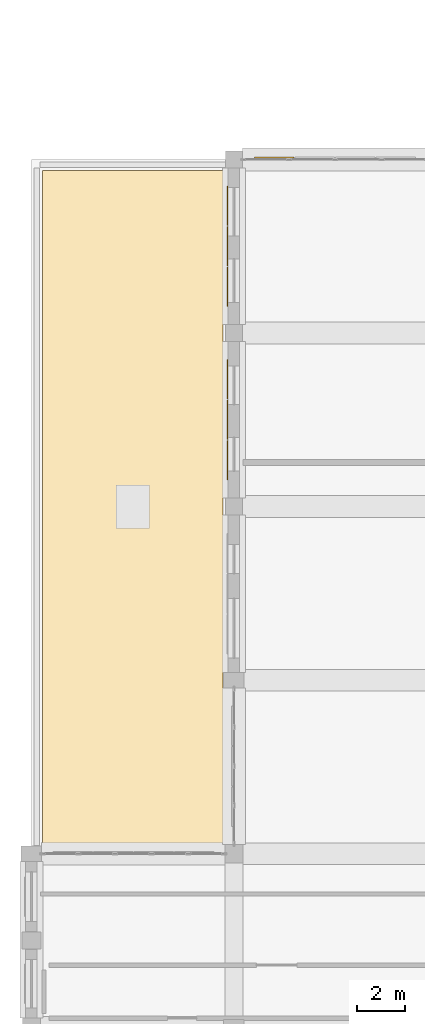
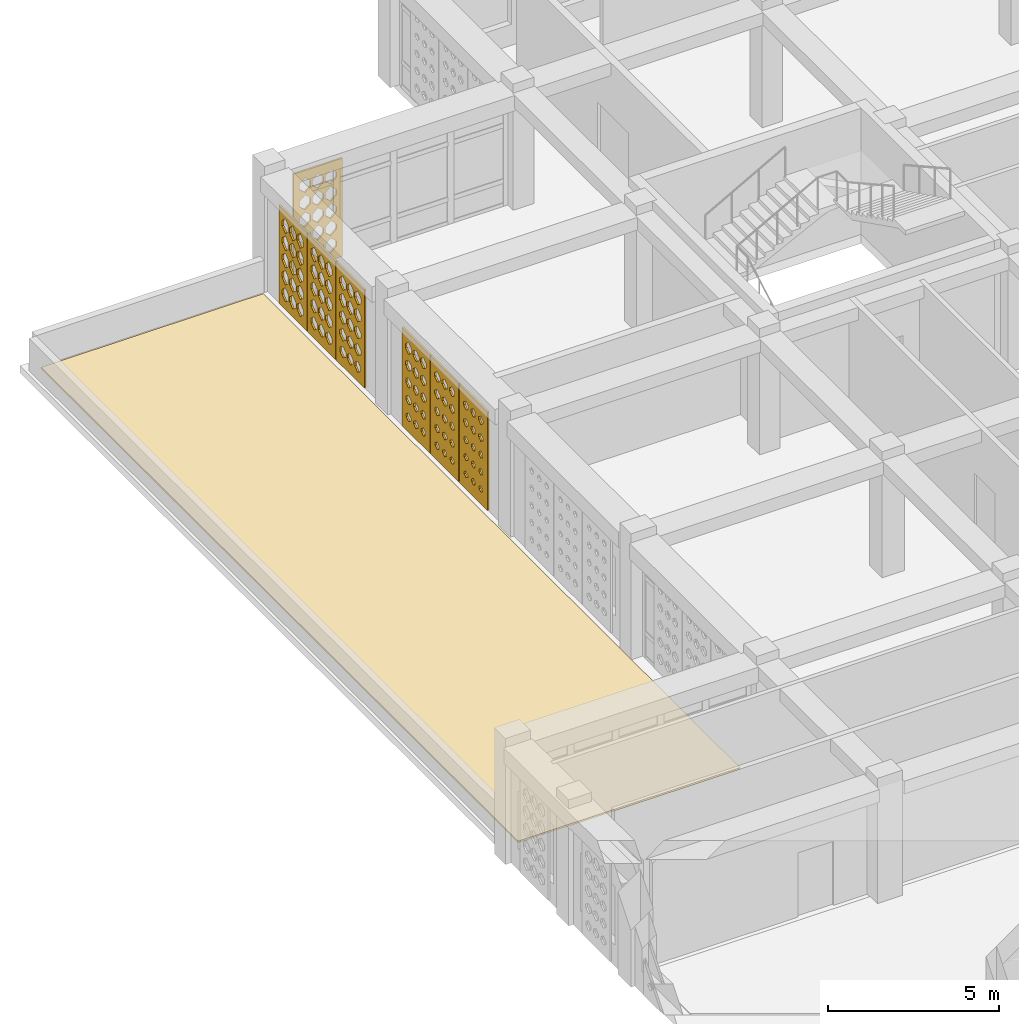
# One storey, part 86 of 100: 8 coverings.
"""IFC4 building model written with IfcOpenShell, lengths in metres."""

from ifc_helpers import new_model, si_unit, derived_unit, direction, frame, origin, place, context, subcontext, project, spatial, polyline, outline, extrude, material, layer, layer_set, type_object, element, save


model = new_model("IFC4")

# Units and contexts
model_context = context("Model", 3, precision=1e-05, world=origin(), true_north=direction((0.0, 1.0)))
body_context = subcontext(model_context, "Body", "Model", "MODEL_VIEW")
ifc_project = project(units=[si_unit("LENGTHUNIT", "METRE"), si_unit("AREAUNIT", "SQUARE_METRE"), si_unit("VOLUMEUNIT", "CUBIC_METRE"), si_unit("PLANEANGLEUNIT", "RADIAN"), si_unit("MASSUNIT", "GRAM", prefix="KILO"), derived_unit("THERMALTRANSMITTANCEUNIT", [(si_unit("POWERUNIT", "WATT"), 1), (si_unit("LENGTHUNIT", "METRE"), -2), (si_unit("THERMODYNAMICTEMPERATUREUNIT", "KELVIN"), -1)])], contexts=[model_context])

# Site, building, storey
site_placement = place(None, origin())
site = spatial("IfcSite", under=ifc_project, at=site_placement, CompositionType="ELEMENT")
building_placement = place(site_placement, origin())
building = spatial("IfcBuilding", under=site, at=building_placement, Name="Veybourne Emporium", CompositionType="ELEMENT")
storey_placement = place(building_placement, frame((0.0, 0.0, 14.39990234375)))
storey = spatial("IfcBuildingStorey", under=building, at=storey_placement, Name="L03", CompositionType="ELEMENT", Elevation=14.39990234375)

# Coverings
ifc_material_1 = material(Name="Single-Ply Warm Roof Membrane", Category="membrane")
ifc_layer_1 = layer(ifc_material_1, 0.06005859375)
ifc_layer_set_1 = layer_set([ifc_layer_1], Name="Single-Ply Warm Roof Membrane")
covering_type_1 = type_object("IfcCoveringType", Name="Roofing_RFG-01", PredefinedType="ROOFING", material=ifc_layer_set_1)
covering_1_placement = place(storey_placement, origin())
element("IfcCovering", 1, at=covering_1_placement, inside=storey, type_object=covering_type_1, Name="L03 warm-roof waterproofing membrane 2.1", PredefinedType="ROOFING", context=body_context, shape_type="SweptSolid", body=[
    extrude(outline(polyline([(0.449951171875, 78.75), (7.949951171875, 78.75), (7.949951171875, 50.85009765625), (0.449951171875, 50.85009765625), (0.449951171875, 78.75)])), origin(), (0.0, 0.0, 1.0), 0.06005859375),
])
ifc_material_2 = material(Name="Warm-White Perforated Aluminium Screen Alloy", Category="aluminium")
ifc_layer_2 = layer(ifc_material_2, 0.06005859375)
ifc_layer_set_2 = layer_set([ifc_layer_2], Name="Warm-White Perforated Aluminium Screen Alloy")
covering_type_2 = type_object("IfcCoveringType", Name="WaveScreen_SCR-01", PredefinedType="CLADDING", material=ifc_layer_set_2)
covering_2_placement = place(storey_placement, frame((8.10205078125, 68.39990234375, 1.815185546875), z_axis=(1.0, 0.0, 0.0), x_axis=(0.0, 1.0, 0.0)))
element("IfcCovering", 2, at=covering_2_placement, inside=storey, type_object=covering_type_2, Name="L03 wave-perforated aluminium screen SCR-01 (11.2)", PredefinedType="CLADDING", context=body_context, shape_type="SweptSolid", body=[
    extrude(outline(polyline([(-0.81982421875, -1.7548828125), (0.81982421875, -1.7548828125), (0.81982421875, 1.7548828125), (-0.81982421875, 1.7548828125), (-0.81982421875, -1.7548828125)]), holes=[polyline([(-0.433349609375, -1.102783203125), (-0.321044921875, -1.18310546875), (-0.321044921875, -1.27294921875), (-0.433349609375, -1.35302734375), (-0.545654296875, -1.27294921875), (-0.545654296875, -1.18310546875), (-0.433349609375, -1.102783203125)]), polyline([(-0.433349609375, -0.479736328125), (-0.3134765625, -0.565673828125), (-0.3134765625, -0.662353515625), (-0.433349609375, -0.748291015625), (-0.55322265625, -0.662353515625), (-0.55322265625, -0.565673828125), (-0.433349609375, -0.479736328125)]), polyline([(-0.433349609375, 0.14501953125), (-0.3046875, 0.05224609375), (-0.3046875, -0.05224609375), (-0.433349609375, -0.14501953125), (-0.56201171875, -0.05224609375), (-0.56201171875, 0.05224609375), (-0.433349609375, 0.14501953125)]), polyline([(-0.433349609375, 0.771484375), (-0.294677734375, 0.670654296875), (-0.294677734375, 0.557373046875), (-0.433349609375, 0.45654296875), (-0.572021484375, 0.557373046875), (-0.572021484375, 0.670654296875), (-0.433349609375, 0.771484375)]), polyline([(-0.433349609375, 1.398681640625), (-0.28369140625, 1.289306640625), (-0.28369140625, 1.16650390625), (-0.433349609375, 1.057373046875), (-0.5830078125, 1.16650390625), (-0.5830078125, 1.289306640625), (-0.433349609375, 1.398681640625)]), polyline([(0.0, -1.09912109375), (0.115478515625, -1.181396484375), (0.115478515625, -1.2744140625), (0.0, -1.35693359375), (-0.115478515625, -1.2744140625), (-0.115478515625, -1.181396484375), (0.0, -1.09912109375)]), polyline([(0.0, -0.47509765625), (0.123779296875, -0.56396484375), (0.123779296875, -0.6640625), (0.0, -0.7529296875), (-0.123779296875, -0.6640625), (-0.123779296875, -0.56396484375), (0.0, -0.47509765625)]), polyline([(0.0, 0.150390625), (0.13330078125, 0.05419921875), (0.13330078125, -0.05419921875), (0.0, -0.150390625), (-0.13330078125, -0.05419921875), (-0.13330078125, 0.05419921875), (0.0, 0.150390625)]), polyline([(0.0, 0.77734375), (0.1435546875, 0.6728515625), (0.1435546875, 0.55517578125), (0.0, 0.45068359375), (-0.1435546875, 0.55517578125), (-0.1435546875, 0.6728515625), (0.0, 0.77734375)]), polyline([(0.0, 1.40478515625), (0.15478515625, 1.291748046875), (0.15478515625, 1.164306640625), (0.0, 1.051025390625), (-0.15478515625, 1.164306640625), (-0.15478515625, 1.291748046875), (0.0, 1.40478515625)]), polyline([(0.433349609375, -1.094482421875), (0.552490234375, -1.179931640625), (0.552490234375, -1.27587890625), (0.433349609375, -1.361328125), (0.314208984375, -1.27587890625), (0.314208984375, -1.179931640625), (0.433349609375, -1.094482421875)]), polyline([(0.433349609375, -0.469970703125), (0.561279296875, -0.56201171875), (0.561279296875, -0.666015625), (0.433349609375, -0.758056640625), (0.305419921875, -0.666015625), (0.305419921875, -0.56201171875), (0.433349609375, -0.469970703125)]), polyline([(0.433349609375, 0.15625), (0.571044921875, 0.05615234375), (0.571044921875, -0.05615234375), (0.433349609375, -0.15625), (0.29541015625, -0.05615234375), (0.29541015625, 0.05615234375), (0.433349609375, 0.15625)]), polyline([(0.433349609375, 0.783447265625), (0.581787109375, 0.675048828125), (0.581787109375, 0.552978515625), (0.433349609375, 0.444580078125), (0.28466796875, 0.552978515625), (0.28466796875, 0.675048828125), (0.433349609375, 0.783447265625)]), polyline([(0.433349609375, 1.411376953125), (0.59326171875, 1.2939453125), (0.59326171875, 1.162109375), (0.433349609375, 1.044677734375), (0.2734375, 1.162109375), (0.2734375, 1.2939453125), (0.433349609375, 1.411376953125)])]), origin(), (0.0, 0.0, 1.0), 0.06005859375),
])
covering_3_placement = place(storey_placement, frame((10.080078125, 79.2939453125, 1.815185546875), z_axis=(0.0, -1.0, 0.0), x_axis=(1.0, 0.0, 0.0)))
element("IfcCovering", 3, at=covering_3_placement, inside=storey, type_object=covering_type_2, Name="L03 wave-perforated aluminium screen SCR-01 (12C.1)", PredefinedType="CLADDING", context=body_context, shape_type="SweptSolid", body=[
    extrude(outline(polyline([(-0.81982421875, -1.7548828125), (0.81982421875, -1.7548828125), (0.81982421875, 1.7548828125), (-0.81982421875, 1.7548828125), (-0.81982421875, -1.7548828125)]), holes=[polyline([(-0.433349609375, -0.964111328125), (-0.2470703125, -1.133056640625), (-0.2470703125, -1.322998046875), (-0.433349609375, -1.491943359375), (-0.61962890625, -1.322998046875), (-0.61962890625, -1.133056640625), (-0.433349609375, -0.964111328125)]), polyline([(-0.433349609375, -0.35009765625), (-0.2470703125, -0.51904296875), (-0.2470703125, -0.708984375), (-0.433349609375, -0.8779296875), (-0.61962890625, -0.708984375), (-0.61962890625, -0.51904296875), (-0.433349609375, -0.35009765625)]), polyline([(-0.433349609375, 0.263916015625), (-0.2470703125, 0.094970703125), (-0.2470703125, -0.094970703125), (-0.433349609375, -0.263916015625), (-0.61962890625, -0.094970703125), (-0.61962890625, 0.094970703125), (-0.433349609375, 0.263916015625)]), polyline([(-0.433349609375, 0.8779296875), (-0.2470703125, 0.708984375), (-0.2470703125, 0.51904296875), (-0.433349609375, 0.35009765625), (-0.61962890625, 0.51904296875), (-0.61962890625, 0.708984375), (-0.433349609375, 0.8779296875)]), polyline([(-0.433349609375, 1.491943359375), (-0.2470703125, 1.322998046875), (-0.2470703125, 1.133056640625), (-0.433349609375, 0.964111328125), (-0.61962890625, 1.133056640625), (-0.61962890625, 1.322998046875), (-0.433349609375, 1.491943359375)]), polyline([(0.0, -0.964111328125), (0.186279296875, -1.133056640625), (0.186279296875, -1.322998046875), (0.0, -1.491943359375), (-0.186279296875, -1.322998046875), (-0.186279296875, -1.133056640625), (0.0, -0.964111328125)]), polyline([(0.0, -0.35009765625), (0.186279296875, -0.51904296875), (0.186279296875, -0.708984375), (0.0, -0.8779296875), (-0.186279296875, -0.708984375), (-0.186279296875, -0.51904296875), (0.0, -0.35009765625)]), polyline([(0.0, 0.263916015625), (0.186279296875, 0.094970703125), (0.186279296875, -0.094970703125), (0.0, -0.263916015625), (-0.186279296875, -0.094970703125), (-0.186279296875, 0.094970703125), (0.0, 0.263916015625)]), polyline([(0.0, 0.8779296875), (0.186279296875, 0.708984375), (0.186279296875, 0.51904296875), (0.0, 0.35009765625), (-0.186279296875, 0.51904296875), (-0.186279296875, 0.708984375), (0.0, 0.8779296875)]), polyline([(0.0, 1.490966796875), (0.186279296875, 1.32275390625), (0.186279296875, 1.13330078125), (0.0, 0.965087890625), (-0.186279296875, 1.13330078125), (-0.186279296875, 1.32275390625), (0.0, 1.490966796875)]), polyline([(0.433349609375, -0.964111328125), (0.61962890625, -1.133056640625), (0.61962890625, -1.322998046875), (0.433349609375, -1.491943359375), (0.2470703125, -1.322998046875), (0.2470703125, -1.133056640625), (0.433349609375, -0.964111328125)]), polyline([(0.433349609375, -0.35009765625), (0.61962890625, -0.51904296875), (0.61962890625, -0.708984375), (0.433349609375, -0.8779296875), (0.2470703125, -0.708984375), (0.2470703125, -0.51904296875), (0.433349609375, -0.35009765625)]), polyline([(0.433349609375, 0.263916015625), (0.61962890625, 0.094970703125), (0.61962890625, -0.094970703125), (0.433349609375, -0.263916015625), (0.2470703125, -0.094970703125), (0.2470703125, 0.094970703125), (0.433349609375, 0.263916015625)]), polyline([(0.433349609375, 0.8779296875), (0.61962890625, 0.708984375), (0.61962890625, 0.51904296875), (0.433349609375, 0.35009765625), (0.2470703125, 0.51904296875), (0.2470703125, 0.708984375), (0.433349609375, 0.8779296875)]), polyline([(0.433349609375, 1.487548828125), (0.61962890625, 1.3212890625), (0.61962890625, 1.134521484375), (0.433349609375, 0.968505859375), (0.2470703125, 1.134521484375), (0.2470703125, 1.3212890625), (0.433349609375, 1.487548828125)])]), origin(), (0.0, 0.0, 1.0), 0.06005859375),
])
ifc_layer_3 = layer(ifc_material_2, 0.06005859375)
ifc_layer_set_3 = layer_set([ifc_layer_3], Name="Warm-White Perforated Aluminium Screen Alloy")
covering_type_3 = type_object("IfcCoveringType", Name="WaveScreen_SCR-02", PredefinedType="CLADDING", material=ifc_layer_set_3)
covering_4_placement = place(storey_placement, frame((8.10205078125, 70.080078125, 1.815185546875), z_axis=(1.0, 0.0, 0.0), x_axis=(0.0, 1.0, 0.0)))
element("IfcCovering", 4, at=covering_4_placement, inside=storey, type_object=covering_type_3, Name="L03 wave-perforated aluminium screen SCR-02 (11.3)", PredefinedType="CLADDING", context=body_context, shape_type="SweptSolid", body=[
    extrude(outline(polyline([(-0.81982421875, -1.7548828125), (0.81982421875, -1.7548828125), (0.81982421875, 1.7548828125), (-0.81982421875, 1.7548828125), (-0.81982421875, -1.7548828125)]), holes=[polyline([(-0.433349609375, -1.085693359375), (-0.306884765625, -1.1767578125), (-0.306884765625, -1.279296875), (-0.433349609375, -1.370361328125), (-0.559814453125, -1.279296875), (-0.559814453125, -1.1767578125), (-0.433349609375, -1.085693359375)]), polyline([(-0.433349609375, -0.459716796875), (-0.297119140625, -0.558349609375), (-0.297119140625, -0.669677734375), (-0.433349609375, -0.768310546875), (-0.569580078125, -0.669677734375), (-0.569580078125, -0.558349609375), (-0.433349609375, -0.459716796875)]), polyline([(-0.433349609375, 0.16748046875), (-0.286376953125, 0.060302734375), (-0.286376953125, -0.060302734375), (-0.433349609375, -0.16748046875), (-0.580322265625, -0.060302734375), (-0.580322265625, 0.060302734375), (-0.433349609375, 0.16748046875)]), polyline([(-0.433349609375, 0.795166015625), (-0.275146484375, 0.67919921875), (-0.275146484375, 0.548828125), (-0.433349609375, 0.432861328125), (-0.591552734375, 0.548828125), (-0.591552734375, 0.67919921875), (-0.433349609375, 0.795166015625)]), polyline([(-0.433349609375, 1.42333984375), (-0.263427734375, 1.29833984375), (-0.263427734375, 1.15771484375), (-0.433349609375, 1.03271484375), (-0.603271484375, 1.15771484375), (-0.603271484375, 1.29833984375), (-0.433349609375, 1.42333984375)]), polyline([(0.0, -1.080322265625), (0.130859375, -1.1748046875), (0.130859375, -1.281005859375), (0.0, -1.37548828125), (-0.130859375, -1.281005859375), (-0.130859375, -1.1748046875), (0.0, -1.080322265625)]), polyline([(0.0, -0.453857421875), (0.14111328125, -0.556396484375), (0.14111328125, -0.671630859375), (0.0, -0.774169921875), (-0.14111328125, -0.671630859375), (-0.14111328125, -0.556396484375), (0.0, -0.453857421875)]), polyline([(0.0, 0.173583984375), (0.152099609375, 0.0625), (0.152099609375, -0.0625), (0.0, -0.173583984375), (-0.152099609375, -0.0625), (-0.152099609375, 0.0625), (0.0, 0.173583984375)]), polyline([(0.0, 0.801513671875), (0.16357421875, 0.681396484375), (0.16357421875, 0.54638671875), (0.0, 0.426513671875), (-0.16357421875, 0.54638671875), (-0.16357421875, 0.681396484375), (0.0, 0.801513671875)]), polyline([(0.0, 1.4296875), (0.175048828125, 1.300537109375), (0.175048828125, 1.155517578125), (0.0, 1.026123046875), (-0.175048828125, 1.155517578125), (-0.175048828125, 1.300537109375), (0.0, 1.4296875)]), polyline([(0.433349609375, -1.07470703125), (0.568603515625, -1.1728515625), (0.568603515625, -1.283203125), (0.433349609375, -1.381103515625), (0.298095703125, -1.283203125), (0.298095703125, -1.1728515625), (0.433349609375, -1.07470703125)]), polyline([(0.433349609375, -0.447998046875), (0.579345703125, -0.55419921875), (0.579345703125, -0.673828125), (0.433349609375, -0.780029296875), (0.287353515625, -0.673828125), (0.287353515625, -0.55419921875), (0.433349609375, -0.447998046875)]), polyline([(0.433349609375, 0.179931640625), (0.590576171875, 0.064697265625), (0.590576171875, -0.064697265625), (0.433349609375, -0.179931640625), (0.276123046875, -0.064697265625), (0.276123046875, 0.064697265625), (0.433349609375, 0.179931640625)]), polyline([(0.433349609375, 0.80810546875), (0.60205078125, 0.683837890625), (0.60205078125, 0.544189453125), (0.433349609375, 0.419921875), (0.2646484375, 0.544189453125), (0.2646484375, 0.683837890625), (0.433349609375, 0.80810546875)]), polyline([(0.433349609375, 1.43603515625), (0.613525390625, 1.302978515625), (0.613525390625, 1.153076171875), (0.433349609375, 1.02001953125), (0.2529296875, 1.153076171875), (0.2529296875, 1.302978515625), (0.433349609375, 1.43603515625)])]), origin(), (0.0, 0.0, 1.0), 0.06005859375),
])
covering_5_placement = place(storey_placement, frame((8.10205078125, 73.919921875, 1.815185546875), z_axis=(1.0, 0.0, 0.0), x_axis=(0.0, 1.0, 0.0)))
element("IfcCovering", 5, at=covering_5_placement, inside=storey, type_object=covering_type_3, Name="L03 wave-perforated aluminium screen SCR-02 (13.1)", PredefinedType="CLADDING", context=body_context, shape_type="SweptSolid", body=[
    extrude(outline(polyline([(-0.81982421875, -1.7548828125), (0.81982421875, -1.7548828125), (0.81982421875, 1.7548828125), (-0.81982421875, 1.7548828125), (-0.81982421875, -1.7548828125)]), holes=[polyline([(-0.433349609375, -1.032470703125), (-0.26318359375, -1.15771484375), (-0.26318359375, -1.29833984375), (-0.433349609375, -1.423583984375), (-0.603515625, -1.29833984375), (-0.603515625, -1.15771484375), (-0.433349609375, -1.032470703125)]), polyline([(-0.433349609375, -0.404296875), (-0.251708984375, -0.53857421875), (-0.251708984375, -0.689453125), (-0.433349609375, -0.82373046875), (-0.614990234375, -0.689453125), (-0.614990234375, -0.53857421875), (-0.433349609375, -0.404296875)]), polyline([(-0.433349609375, 0.223388671875), (-0.2470703125, 0.080322265625), (-0.2470703125, -0.080322265625), (-0.433349609375, -0.223388671875), (-0.61962890625, -0.080322265625), (-0.61962890625, 0.080322265625), (-0.433349609375, 0.223388671875)]), polyline([(-0.433349609375, 0.849853515625), (-0.2470703125, 0.698974609375), (-0.2470703125, 0.529052734375), (-0.433349609375, 0.378173828125), (-0.61962890625, 0.529052734375), (-0.61962890625, 0.698974609375), (-0.433349609375, 0.849853515625)]), polyline([(-0.433349609375, 1.475341796875), (-0.2470703125, 1.31689453125), (-0.2470703125, 1.138916015625), (-0.433349609375, 0.980712890625), (-0.61962890625, 1.138916015625), (-0.61962890625, 1.31689453125), (-0.433349609375, 1.475341796875)]), polyline([(0.0, -1.02587890625), (0.17529296875, -1.1552734375), (0.17529296875, -1.30078125), (0.0, -1.43017578125), (-0.17529296875, -1.30078125), (-0.17529296875, -1.1552734375), (0.0, -1.02587890625)]), polyline([(0.0, -0.398193359375), (0.186279296875, -0.536376953125), (0.186279296875, -0.691650390625), (0.0, -0.829833984375), (-0.186279296875, -0.691650390625), (-0.186279296875, -0.536376953125), (0.0, -0.398193359375)]), polyline([(0.0, 0.22900390625), (0.186279296875, 0.08251953125), (0.186279296875, -0.08251953125), (0.0, -0.22900390625), (-0.186279296875, -0.08251953125), (-0.186279296875, 0.08251953125), (0.0, 0.22900390625)]), polyline([(0.0, 0.855224609375), (0.186279296875, 0.70068359375), (0.186279296875, 0.527099609375), (0.0, 0.372802734375), (-0.186279296875, 0.527099609375), (-0.186279296875, 0.70068359375), (0.0, 0.855224609375)]), polyline([(0.0, 1.47998046875), (0.186279296875, 1.318603515625), (0.186279296875, 1.13720703125), (0.0, 0.97607421875), (-0.186279296875, 1.13720703125), (-0.186279296875, 1.318603515625), (0.0, 1.47998046875)]), polyline([(0.433349609375, -1.01953125), (0.614013671875, -1.153076171875), (0.614013671875, -1.302978515625), (0.433349609375, -1.436279296875), (0.252685546875, -1.302978515625), (0.252685546875, -1.153076171875), (0.433349609375, -1.01953125)]), polyline([(0.433349609375, -0.39208984375), (0.61962890625, -0.5341796875), (0.61962890625, -0.69384765625), (0.433349609375, -0.8359375), (0.2470703125, -0.69384765625), (0.2470703125, -0.5341796875), (0.433349609375, -0.39208984375)]), polyline([(0.433349609375, 0.23486328125), (0.61962890625, 0.08447265625), (0.61962890625, -0.08447265625), (0.433349609375, -0.23486328125), (0.2470703125, -0.08447265625), (0.2470703125, 0.08447265625), (0.433349609375, 0.23486328125)]), polyline([(0.433349609375, 0.8603515625), (0.61962890625, 0.70263671875), (0.61962890625, 0.525390625), (0.433349609375, 0.36767578125), (0.2470703125, 0.525390625), (0.2470703125, 0.70263671875), (0.433349609375, 0.8603515625)]), polyline([(0.433349609375, 1.484130859375), (0.61962890625, 1.3203125), (0.61962890625, 1.1357421875), (0.433349609375, 0.9716796875), (0.2470703125, 1.1357421875), (0.2470703125, 1.3203125), (0.433349609375, 1.484130859375)])]), origin(), (0.0, 0.0, 1.0), 0.06005859375),
])
ifc_layer_4 = layer(ifc_material_2, 0.06005859375)
ifc_layer_set_4 = layer_set([ifc_layer_4], Name="Warm-White Perforated Aluminium Screen Alloy")
covering_type_4 = type_object("IfcCoveringType", Name="WaveScreen_SCR-03", PredefinedType="CLADDING", material=ifc_layer_set_4)
covering_6_placement = place(storey_placement, frame((8.10205078125, 75.60009765625, 1.815185546875), z_axis=(1.0, 0.0, 0.0), x_axis=(0.0, 1.0, 0.0)))
element("IfcCovering", 6, at=covering_6_placement, inside=storey, type_object=covering_type_4, Name="L03 wave-perforated aluminium screen SCR-03 (13.2)", PredefinedType="CLADDING", context=body_context, shape_type="SweptSolid", body=[
    extrude(outline(polyline([(-0.81982421875, -1.7548828125), (0.81982421875, -1.7548828125), (0.81982421875, 1.7548828125), (-0.81982421875, 1.7548828125), (-0.81982421875, -1.7548828125)]), holes=[polyline([(-0.433349609375, -1.0078125), (-0.2470703125, -1.148681640625), (-0.2470703125, -1.30712890625), (-0.433349609375, -1.447998046875), (-0.61962890625, -1.30712890625), (-0.61962890625, -1.148681640625), (-0.433349609375, -1.0078125)]), polyline([(-0.433349609375, -0.381103515625), (-0.2470703125, -0.530029296875), (-0.2470703125, -0.697998046875), (-0.433349609375, -0.846923828125), (-0.61962890625, -0.697998046875), (-0.61962890625, -0.530029296875), (-0.433349609375, -0.381103515625)]), polyline([(-0.433349609375, 0.24462890625), (-0.2470703125, 0.088134765625), (-0.2470703125, -0.088134765625), (-0.433349609375, -0.24462890625), (-0.61962890625, -0.088134765625), (-0.61962890625, 0.088134765625), (-0.433349609375, 0.24462890625)]), polyline([(-0.433349609375, 0.868896484375), (-0.2470703125, 0.705810546875), (-0.2470703125, 0.522216796875), (-0.433349609375, 0.359130859375), (-0.61962890625, 0.522216796875), (-0.61962890625, 0.705810546875), (-0.433349609375, 0.868896484375)]), polyline([(-0.433349609375, 1.4912109375), (-0.2470703125, 1.32275390625), (-0.2470703125, 1.13330078125), (-0.433349609375, 0.96484375), (-0.61962890625, 1.13330078125), (-0.61962890625, 1.32275390625), (-0.433349609375, 1.4912109375)]), polyline([(0.0, -1.001953125), (0.186279296875, -1.146484375), (0.186279296875, -1.309326171875), (0.0, -1.4541015625), (-0.186279296875, -1.309326171875), (-0.186279296875, -1.146484375), (0.0, -1.001953125)]), polyline([(0.0, -0.37548828125), (0.186279296875, -0.5283203125), (0.186279296875, -0.69970703125), (0.0, -0.852294921875), (-0.186279296875, -0.69970703125), (-0.186279296875, -0.5283203125), (0.0, -0.37548828125)]), polyline([(0.0, 0.24951171875), (0.186279296875, 0.08984375), (0.186279296875, -0.08984375), (0.0, -0.24951171875), (-0.186279296875, -0.08984375), (-0.186279296875, 0.08984375), (0.0, 0.24951171875)]), polyline([(0.0, 0.872802734375), (0.186279296875, 0.707275390625), (0.186279296875, 0.520751953125), (0.0, 0.355224609375), (-0.186279296875, 0.520751953125), (-0.186279296875, 0.707275390625), (0.0, 0.872802734375)]), polyline([(0.0, 1.491943359375), (0.186279296875, 1.322998046875), (0.186279296875, 1.133056640625), (0.0, 0.964111328125), (-0.186279296875, 1.133056640625), (-0.186279296875, 1.322998046875), (0.0, 1.491943359375)]), polyline([(0.433349609375, -0.99609375), (0.61962890625, -1.14453125), (0.61962890625, -1.311279296875), (0.433349609375, -1.459716796875), (0.2470703125, -1.311279296875), (0.2470703125, -1.14453125), (0.433349609375, -0.99609375)]), polyline([(0.433349609375, -0.370361328125), (0.61962890625, -0.5263671875), (0.61962890625, -0.70166015625), (0.433349609375, -0.857666015625), (0.2470703125, -0.70166015625), (0.2470703125, -0.5263671875), (0.433349609375, -0.370361328125)]), polyline([(0.433349609375, 0.25390625), (0.61962890625, 0.09130859375), (0.61962890625, -0.09130859375), (0.433349609375, -0.25390625), (0.2470703125, -0.09130859375), (0.2470703125, 0.09130859375), (0.433349609375, 0.25390625)]), polyline([(0.433349609375, 0.87646484375), (0.61962890625, 0.70849609375), (0.61962890625, 0.51953125), (0.433349609375, 0.3515625), (0.2470703125, 0.51953125), (0.2470703125, 0.70849609375), (0.433349609375, 0.87646484375)]), polyline([(0.433349609375, 1.491943359375), (0.61962890625, 1.322998046875), (0.61962890625, 1.133056640625), (0.433349609375, 0.964111328125), (0.2470703125, 1.133056640625), (0.2470703125, 1.322998046875), (0.433349609375, 1.491943359375)])]), origin(), (0.0, 0.0, 1.0), 0.06005859375),
])
ifc_layer_5 = layer(ifc_material_2, 0.06005859375)
ifc_layer_set_5 = layer_set([ifc_layer_5], Name="Warm-White Perforated Aluminium Screen Alloy")
covering_type_5 = type_object("IfcCoveringType", Name="WaveScreen_SCR-04", PredefinedType="CLADDING", material=ifc_layer_set_5)
covering_7_placement = place(storey_placement, frame((8.10205078125, 66.719970703125, 1.815185546875), z_axis=(1.0, 0.0, 0.0), x_axis=(0.0, 1.0, 0.0)))
element("IfcCovering", 7, at=covering_7_placement, inside=storey, type_object=covering_type_5, Name="L03 wave-perforated aluminium screen SCR-04 (11.1)", PredefinedType="CLADDING", context=body_context, shape_type="SweptSolid", body=[
    extrude(outline(polyline([(-0.81982421875, -1.7548828125), (0.81982421875, -1.7548828125), (0.81982421875, 1.7548828125), (-0.81982421875, 1.7548828125), (-0.81982421875, -1.7548828125)]), holes=[polyline([(-0.433349609375, -1.114013671875), (-0.330078125, -1.18701171875), (-0.330078125, -1.26904296875), (-0.433349609375, -1.342041015625), (-0.53662109375, -1.26904296875), (-0.53662109375, -1.18701171875), (-0.433349609375, -1.114013671875)]), polyline([(-0.433349609375, -0.494384765625), (-0.32568359375, -0.571044921875), (-0.32568359375, -0.656982421875), (-0.433349609375, -0.7333984375), (-0.541015625, -0.656982421875), (-0.541015625, -0.571044921875), (-0.433349609375, -0.494384765625)]), polyline([(-0.433349609375, 0.127197265625), (-0.3193359375, 0.0458984375), (-0.3193359375, -0.0458984375), (-0.433349609375, -0.127197265625), (-0.54736328125, -0.0458984375), (-0.54736328125, 0.0458984375), (-0.433349609375, 0.127197265625)]), polyline([(-0.433349609375, 0.750732421875), (-0.3115234375, 0.6630859375), (-0.3115234375, 0.564697265625), (-0.433349609375, 0.477294921875), (-0.55517578125, 0.564697265625), (-0.55517578125, 0.6630859375), (-0.433349609375, 0.750732421875)]), polyline([(-0.433349609375, 1.3759765625), (-0.30224609375, 1.28125), (-0.30224609375, 1.1748046875), (-0.433349609375, 1.080078125), (-0.564453125, 1.1748046875), (-0.564453125, 1.28125), (-0.433349609375, 1.3759765625)]), polyline([(0.0, -1.11181640625), (0.10498046875, -1.186279296875), (0.10498046875, -1.269775390625), (0.0, -1.34423828125), (-0.10498046875, -1.269775390625), (-0.10498046875, -1.186279296875), (0.0, -1.11181640625)]), polyline([(0.0, -0.4912109375), (0.1103515625, -0.56982421875), (0.1103515625, -0.658203125), (0.0, -0.73681640625), (-0.1103515625, -0.658203125), (-0.1103515625, -0.56982421875), (0.0, -0.4912109375)]), polyline([(0.0, 0.13134765625), (0.117431640625, 0.04736328125), (0.117431640625, -0.04736328125), (0.0, -0.13134765625), (-0.117431640625, -0.04736328125), (-0.117431640625, 0.04736328125), (0.0, 0.13134765625)]), polyline([(0.0, 0.755615234375), (0.1259765625, 0.6650390625), (0.1259765625, 0.56298828125), (0.0, 0.472412109375), (-0.1259765625, 0.56298828125), (-0.1259765625, 0.6650390625), (0.0, 0.755615234375)]), polyline([(0.0, 1.381591796875), (0.135498046875, 1.283203125), (0.135498046875, 1.172607421875), (0.0, 1.074462890625), (-0.135498046875, 1.172607421875), (-0.135498046875, 1.283203125), (0.0, 1.381591796875)]), polyline([(0.433349609375, -1.109130859375), (0.54052734375, -1.185302734375), (0.54052734375, -1.270751953125), (0.433349609375, -1.346923828125), (0.325927734375, -1.270751953125), (0.325927734375, -1.185302734375), (0.433349609375, -1.109130859375)]), polyline([(0.433349609375, -0.487548828125), (0.546630859375, -0.568603515625), (0.546630859375, -0.659423828125), (0.433349609375, -0.740478515625), (0.31982421875, -0.659423828125), (0.31982421875, -0.568603515625), (0.433349609375, -0.487548828125)]), polyline([(0.433349609375, 0.1357421875), (0.554443359375, 0.048828125), (0.554443359375, -0.048828125), (0.433349609375, -0.1357421875), (0.312255859375, -0.048828125), (0.312255859375, 0.048828125), (0.433349609375, 0.1357421875)]), polyline([(0.433349609375, 0.760986328125), (0.5634765625, 0.6669921875), (0.5634765625, 0.56103515625), (0.433349609375, 0.467041015625), (0.30322265625, 0.56103515625), (0.30322265625, 0.6669921875), (0.433349609375, 0.760986328125)]), polyline([(0.433349609375, 1.38720703125), (0.57373046875, 1.285400390625), (0.57373046875, 1.170654296875), (0.433349609375, 1.068603515625), (0.29296875, 1.170654296875), (0.29296875, 1.285400390625), (0.433349609375, 1.38720703125)])]), origin(), (0.0, 0.0, 1.0), 0.06005859375),
])
covering_8_placement = place(storey_placement, frame((8.10205078125, 77.280029296875, 1.815185546875), z_axis=(1.0, 0.0, 0.0), x_axis=(0.0, 1.0, 0.0)))
element("IfcCovering", 8, at=covering_8_placement, inside=storey, type_object=covering_type_5, Name="L03 wave-perforated aluminium screen SCR-04 (13.3)", PredefinedType="CLADDING", context=body_context, shape_type="SweptSolid", body=[
    extrude(outline(polyline([(-0.81982421875, -1.7548828125), (0.81982421875, -1.7548828125), (0.81982421875, 1.7548828125), (-0.81982421875, 1.7548828125), (-0.81982421875, -1.7548828125)]), holes=[polyline([(-0.433349609375, -0.986083984375), (-0.2470703125, -1.140869140625), (-0.2470703125, -1.315185546875), (-0.433349609375, -1.469970703125), (-0.61962890625, -1.315185546875), (-0.61962890625, -1.140869140625), (-0.433349609375, -0.986083984375)]), polyline([(-0.433349609375, -0.361572265625), (-0.2470703125, -0.523193359375), (-0.2470703125, -0.704833984375), (-0.433349609375, -0.866455078125), (-0.61962890625, -0.704833984375), (-0.61962890625, -0.523193359375), (-0.433349609375, -0.361572265625)]), polyline([(-0.433349609375, 0.26123046875), (-0.2470703125, 0.093994140625), (-0.2470703125, -0.093994140625), (-0.433349609375, -0.26123046875), (-0.61962890625, -0.093994140625), (-0.61962890625, 0.093994140625), (-0.433349609375, 0.26123046875)]), polyline([(-0.433349609375, 0.8779296875), (-0.2470703125, 0.708984375), (-0.2470703125, 0.51904296875), (-0.433349609375, 0.35009765625), (-0.61962890625, 0.51904296875), (-0.61962890625, 0.708984375), (-0.433349609375, 0.8779296875)]), polyline([(-0.433349609375, 1.491943359375), (-0.2470703125, 1.322998046875), (-0.2470703125, 1.133056640625), (-0.433349609375, 0.964111328125), (-0.61962890625, 1.133056640625), (-0.61962890625, 1.322998046875), (-0.433349609375, 1.491943359375)]), polyline([(0.0, -0.98095703125), (0.186279296875, -1.13916015625), (0.186279296875, -1.31689453125), (0.0, -1.47509765625), (-0.186279296875, -1.31689453125), (-0.186279296875, -1.13916015625), (0.0, -0.98095703125)]), polyline([(0.0, -0.357177734375), (0.186279296875, -0.521484375), (0.186279296875, -0.706298828125), (0.0, -0.870849609375), (-0.186279296875, -0.706298828125), (-0.186279296875, -0.521484375), (0.0, -0.357177734375)]), polyline([(0.0, 0.263916015625), (0.186279296875, 0.094970703125), (0.186279296875, -0.094970703125), (0.0, -0.263916015625), (-0.186279296875, -0.094970703125), (-0.186279296875, 0.094970703125), (0.0, 0.263916015625)]), polyline([(0.0, 0.8779296875), (0.186279296875, 0.708984375), (0.186279296875, 0.51904296875), (0.0, 0.35009765625), (-0.186279296875, 0.51904296875), (-0.186279296875, 0.708984375), (0.0, 0.8779296875)]), polyline([(0.0, 1.491943359375), (0.186279296875, 1.322998046875), (0.186279296875, 1.133056640625), (0.0, 0.964111328125), (-0.186279296875, 1.133056640625), (-0.186279296875, 1.322998046875), (0.0, 1.491943359375)]), polyline([(0.433349609375, -0.976318359375), (0.61962890625, -1.137451171875), (0.61962890625, -1.318603515625), (0.433349609375, -1.4794921875), (0.2470703125, -1.318603515625), (0.2470703125, -1.137451171875), (0.433349609375, -0.976318359375)]), polyline([(0.433349609375, -0.353515625), (0.61962890625, -0.520263671875), (0.61962890625, -0.707763671875), (0.433349609375, -0.87451171875), (0.2470703125, -0.707763671875), (0.2470703125, -0.520263671875), (0.433349609375, -0.353515625)]), polyline([(0.433349609375, 0.263916015625), (0.61962890625, 0.094970703125), (0.61962890625, -0.094970703125), (0.433349609375, -0.263916015625), (0.2470703125, -0.094970703125), (0.2470703125, 0.094970703125), (0.433349609375, 0.263916015625)]), polyline([(0.433349609375, 0.8779296875), (0.61962890625, 0.708984375), (0.61962890625, 0.51904296875), (0.433349609375, 0.35009765625), (0.2470703125, 0.51904296875), (0.2470703125, 0.708984375), (0.433349609375, 0.8779296875)]), polyline([(0.433349609375, 1.491943359375), (0.61962890625, 1.322998046875), (0.61962890625, 1.133056640625), (0.433349609375, 0.964111328125), (0.2470703125, 1.133056640625), (0.2470703125, 1.322998046875), (0.433349609375, 1.491943359375)])]), origin(), (0.0, 0.0, 1.0), 0.06005859375),
])

save(model, "model.ifc")
